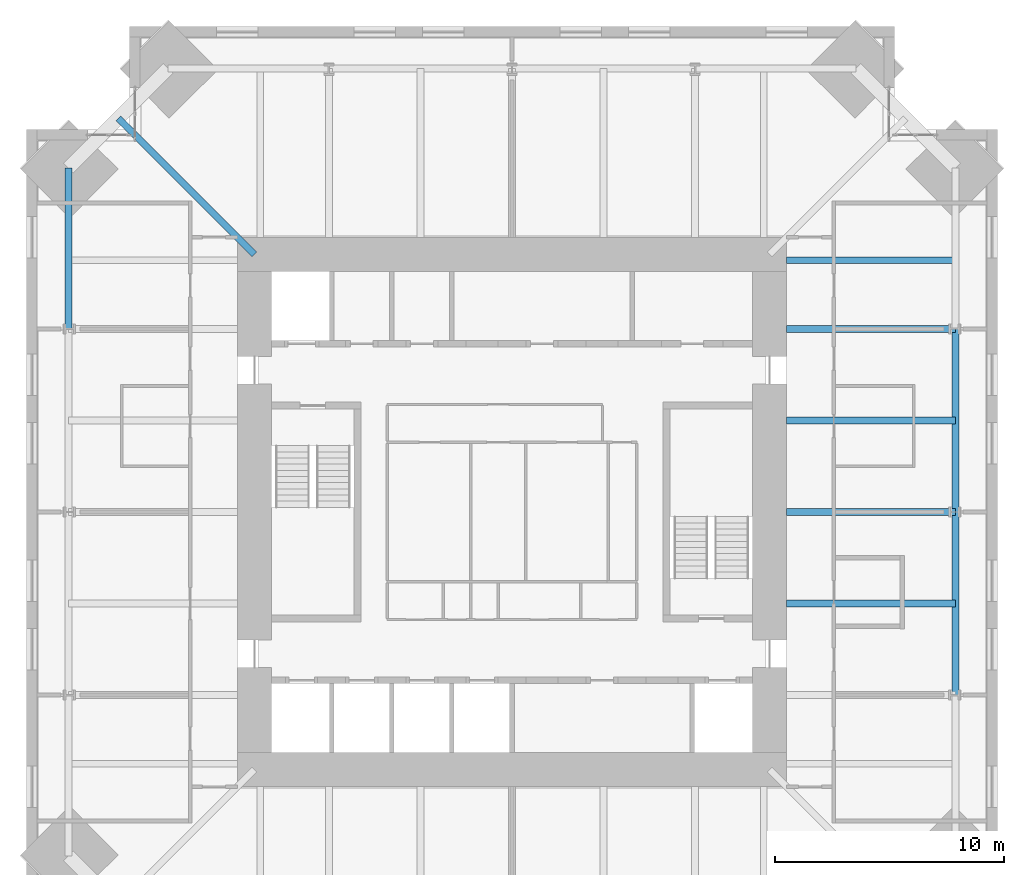
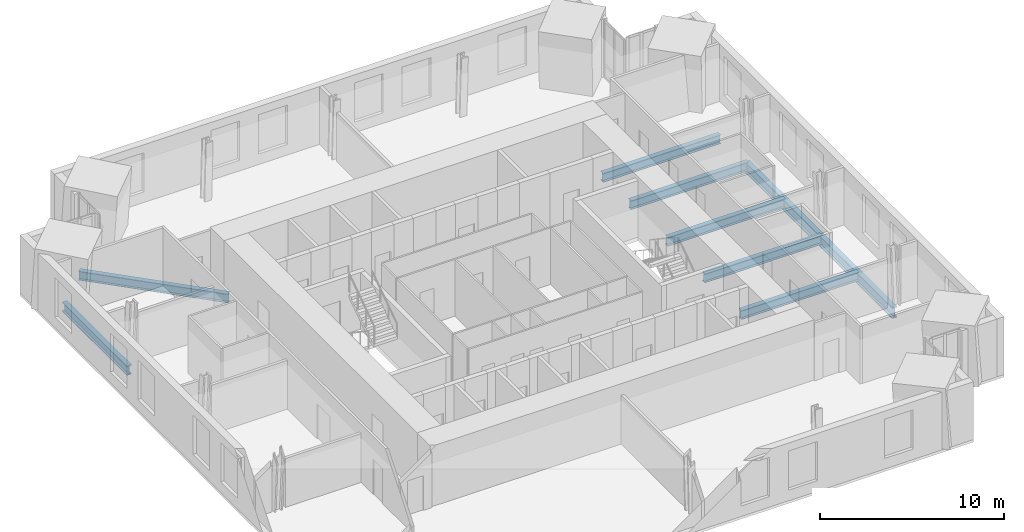
# One storey, part 5 of 15: 9 beams.
"""IFC4 building model written with IfcOpenShell, lengths in metres."""

from ifc_helpers import new_model, si_unit, direction, frame, origin, origin_2d, place, context, subcontext, project, spatial, i_section, extrude, material, material_profile, profile_set, type_object, element, save


model = new_model("IFC4")

# Units and contexts
model_context = context("Model", 3, precision=1e-05, world=origin(), true_north=direction((0.0, 1.0)))
body_context = subcontext(model_context, "Body", "Model", "MODEL_VIEW")
ifc_project = project(units=[si_unit("LENGTHUNIT", "METRE"), si_unit("AREAUNIT", "SQUARE_METRE"), si_unit("VOLUMEUNIT", "CUBIC_METRE"), si_unit("PLANEANGLEUNIT", "RADIAN"), si_unit("MASSUNIT", "GRAM", prefix="KILO")], contexts=[model_context])

# Site, building, storey
site_placement = place(None, origin())
site = spatial("IfcSite", under=ifc_project, at=site_placement, CompositionType="ELEMENT")
building_placement = place(site_placement, origin())
building = spatial("IfcBuilding", under=site, at=building_placement, Name="Peilmerk Tower", CompositionType="ELEMENT")
storey_placement = place(building_placement, frame((0.0, 0.0, 285.800048828125)))
storey = spatial("IfcBuildingStorey", under=building, at=storey_placement, Name="L64", CompositionType="ELEMENT", Elevation=285.800048828125)

# Beams
ifc_material = material(Name="Steel S355", Category="steel")
ifc_material_profile_1 = material_profile(ifc_material, i_section(OverallWidth=0.300048828125, OverallDepth=0.590087890625, WebThickness=0.012939453125, FlangeThickness=0.02490234375, at=origin_2d()), Name="HEA 600")
ifc_profile_set_1 = profile_set([ifc_material_profile_1], Name="Steel S355")
beam_type_1 = type_object("IfcBeamType", Name="B27 HEA 600 floor beam", PredefinedType="BEAM", material=ifc_profile_set_1)
for number, where, z_axis, x_axis, name in (
    (1, (12.0, -4.0, -0.465087890625), (1.0, 0.0, 0.0), (0.0, 1.0, 0.0), "Floor beam L64"),
    (2, (12.0, 0.0, -0.465087890625), (1.0, 0.0, 0.0), (0.0, 1.0, 0.0), "Floor beam L64"),
    (3, (12.0, 4.0, -0.465087890625), (1.0, 0.0, 0.0), (0.0, 1.0, 0.0), "Floor beam L64"),
    (4, (12.0, 8.0, -0.465087890625), (1.0, 0.0, 0.0), (0.0, 1.0, 0.0), "Floor beam L64"),
    (5, (12.0, 11.0, -0.465087890625), (1.0, 0.0, 0.0), (0.0, 1.0, 0.0), "Floor beam L64"),
):
    element("IfcBeam", number, at=place(storey_placement, frame(where, z_axis=z_axis, x_axis=x_axis)), inside=storey, type_object=beam_type_1, Name=name, PredefinedType="BEAM", context=body_context, shape_type="SweptSolid", body=[
        extrude(i_section(OverallWidth=0.300048828125, OverallDepth=0.590087890625, WebThickness=0.012939453125, FlangeThickness=0.02490234375, at=origin_2d()), origin(), (0.0, 0.0, 1.0), 7.37255859375),
    ])
beam_1_placement = place(storey_placement, frame((-11.25, 11.25, -0.465087890625), z_axis=(-0.707106781187, 0.707106781187, 0.0), x_axis=(-0.707106781187, -0.707106781187, 0.0)))
element("IfcBeam", 6, at=beam_1_placement, inside=storey, type_object=beam_type_1, Name="Corner girder L64", PredefinedType="BEAM", context=body_context, shape_type="SweptSolid", body=[
    extrude(i_section(OverallWidth=0.300048828125, OverallDepth=0.590087890625, WebThickness=0.012939453125, FlangeThickness=0.02490234375, at=origin_2d()), origin(), (0.0, 0.0, 1.0), 8.4111328125),
])
ifc_material_profile_2 = material_profile(ifc_material, i_section(OverallWidth=0.303955078125, OverallDepth=0.716064453125, WebThickness=0.02099609375, FlangeThickness=0.0400390625, at=origin_2d()), Name="HEM 700")
ifc_profile_set_2 = profile_set([ifc_material_profile_2], Name="Steel S355")
beam_type_2 = type_object("IfcBeamType", Name="B30 HEM 700 edge beam", PredefinedType="SPANDREL", material=ifc_profile_set_2)
for number, where, z_axis, x_axis, name in (
    (7, (19.37255859375, -8.0, -0.528076171875), (0.0, 1.0, 0.0), (-1.0, 0.0, 0.0), "Edge beam L64"),
    (8, (19.37255859375, 0.0, -0.528076171875), (0.0, 1.0, 0.0), (-1.0, 0.0, 0.0), "Edge beam L64"),
):
    element("IfcBeam", number, at=place(storey_placement, frame(where, z_axis=z_axis, x_axis=x_axis)), inside=storey, type_object=beam_type_2, Name=name, PredefinedType="SPANDREL", context=body_context, shape_type="SweptSolid", body=[
        extrude(i_section(OverallWidth=0.303955078125, OverallDepth=0.716064453125, WebThickness=0.02099609375, FlangeThickness=0.0400390625, at=origin_2d()), origin(), (0.0, 0.0, 1.0), 8.0),
    ])
ifc_material_profile_3 = material_profile(ifc_material, i_section(OverallWidth=0.304931640625, OverallDepth=0.6201171875, WebThickness=0.02099609375, FlangeThickness=0.0400390625, at=origin_2d()), Name="HEM 600")
ifc_profile_set_3 = profile_set([ifc_material_profile_3], Name="Steel S355")
beam_type_3 = type_object("IfcBeamType", Name="B31 HEM 600 edge beam", PredefinedType="SPANDREL", material=ifc_profile_set_3)
beam_2_placement = place(storey_placement, frame((-19.37255859375, 15.0224609375, -0.47998046875), z_axis=(0.0, -1.0, 0.0), x_axis=(1.0, 0.0, 0.0)))
element("IfcBeam", 9, at=beam_2_placement, inside=storey, type_object=beam_type_3, Name="Edge beam L64", PredefinedType="SPANDREL", context=body_context, shape_type="SweptSolid", body=[
    extrude(i_section(OverallWidth=0.304931640625, OverallDepth=0.6201171875, WebThickness=0.02099609375, FlangeThickness=0.0400390625, at=origin_2d()), origin(), (0.0, 0.0, 1.0), 7.0224609375),
])

save(model, "model.ifc")
